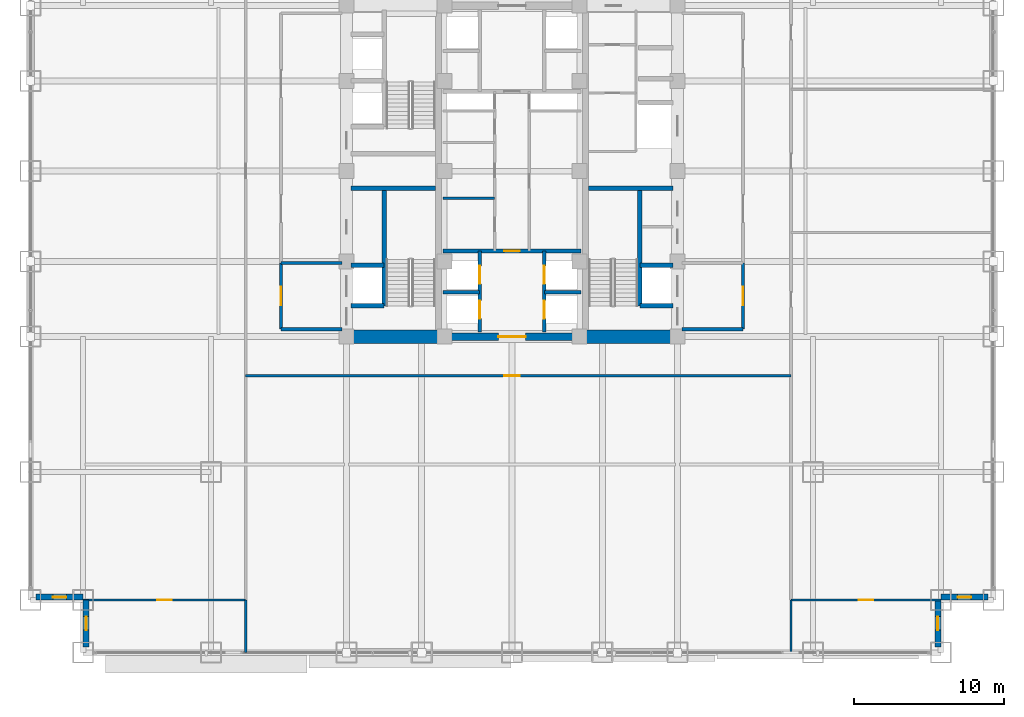
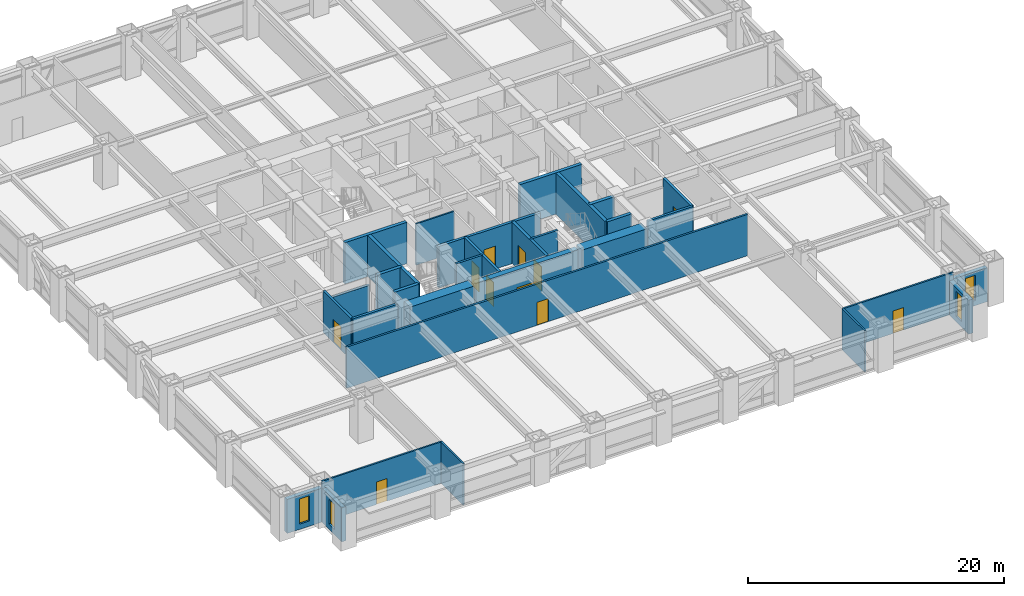
# One storey, part 23 of 31: 31 walls, 11 doors, 4 windows, 15 openings.
"""IFC4 building model written with IfcOpenShell, lengths in metres."""

from ifc_helpers import new_model, si_unit, direction, frame, frame_2d, origin, place, context, subcontext, project, spatial, rectangle, extrude, source, transform, mapped, material, layer, layer_set, type_object, element, fill, save


model = new_model("IFC4")

# Units and contexts
model_context = context("Model", 3, precision=1e-05, world=origin(), true_north=direction((0.0, 1.0)))
body_context = subcontext(model_context, "Body", "Model", "MODEL_VIEW")
ifc_project = project(units=[si_unit("LENGTHUNIT", "METRE"), si_unit("AREAUNIT", "SQUARE_METRE"), si_unit("VOLUMEUNIT", "CUBIC_METRE"), si_unit("PLANEANGLEUNIT", "RADIAN"), si_unit("MASSUNIT", "GRAM", prefix="KILO")], contexts=[model_context])

# Site, building, storey
site_placement = place(None, origin())
site = spatial("IfcSite", under=ifc_project, at=site_placement, CompositionType="ELEMENT")
building_placement = place(site_placement, origin())
building = spatial("IfcBuilding", under=site, at=building_placement, Name="Khorayat Bourse Tower", CompositionType="ELEMENT")
storey_placement = place(building_placement, frame((0.0, 0.0, 32.60009765625)))
storey = spatial("IfcBuildingStorey", under=building, at=storey_placement, Name="L06", CompositionType="ELEMENT", Elevation=32.60009765625)

# Walls
ifc_material_1 = material(Name="Concrete C72/90", Category="concrete")
ifc_layer_1 = layer(ifc_material_1, 0.89990234375)
ifc_layer_set_1 = layer_set([ifc_layer_1], Name="Concrete C72/90")
wall_type_1 = type_object("IfcWallType", Name="WAL-CORE-900", PredefinedType="SHEAR", material=ifc_layer_set_1)
shared_shape_1 = source(origin(), body_context, "Body", "SweptSolid", [
    extrude(rectangle(XDim=5.849853515625, YDim=0.89990234375, at=frame_2d((2.9248046875, 0.0))), origin(), (0.0, 0.0, 1.0), 3.93994140625),
])
for number, where, z_axis, x_axis, name in (
    (1, (-10.699951171875, -11.0, 0.0), (0.0, 0.0, 1.0), (1.0, 0.0, 0.0), "L06 Core Shear Wall PIER-WS"),
    (2, (4.85009765625, -11.0, 0.0), (0.0, 0.0, 1.0), (1.0, 0.0, 0.0), "L06 Core Shear Wall PIER-ES"),
):
    element("IfcWall", number, at=place(storey_placement, frame(where, z_axis=z_axis, x_axis=x_axis)), inside=storey, type_object=wall_type_1, Name=name, PredefinedType="SHEAR", context=body_context, shape_type="MappedRepresentation", body=[
        mapped(shared_shape_1, transform((0.0, 0.0, 0.0), scale=1.0)),
    ])
ifc_material_2 = material(Name="Concrete C50/60", Category="concrete")
ifc_layer_2 = layer(ifc_material_2, 0.300048828125)
ifc_layer_set_2 = layer_set([ifc_layer_2], Name="Concrete C50/60")
wall_type_2 = type_object("IfcWallType", Name="WAL-SHAFT-300", PredefinedType="SHEAR", material=ifc_layer_set_2)
shared_shape_2 = source(origin(), body_context, "Body", "SweptSolid", [
    extrude(rectangle(XDim=5.599853515625, YDim=0.300048828125, at=frame_2d((2.7998046875, 0.0))), origin(), (0.0, 0.0, 1.0), 3.93994140625),
])
for number, where, z_axis, x_axis, name in (
    (3, (-10.699951171875, -1.14990234375, 0.0), (0.0, 0.0, 1.0), (1.0, 0.0, 0.0), "L06 Core Shear Wall ST1-DIV"),
    (4, (5.10009765625, -1.14990234375, 0.0), (0.0, 0.0, 1.0), (1.0, 0.0, 0.0), "L06 Core Shear Wall ST3-DIV"),
):
    element("IfcWall", number, at=place(storey_placement, frame(where, z_axis=z_axis, x_axis=x_axis)), inside=storey, type_object=wall_type_2, Name=name, PredefinedType="SHEAR", context=body_context, shape_type="MappedRepresentation", body=[
        mapped(shared_shape_2, transform((0.0, 0.0, 0.0), scale=1.0)),
    ])

# Wall, opening, door
ifc_material_3 = material(Name="Concrete C52/65", Category="concrete")
ifc_layer_3 = layer(ifc_material_3, 0.5)
ifc_layer_set_3 = layer_set([ifc_layer_3], Name="Concrete C52/65")
wall_type_3 = type_object("IfcWallType", Name="WAL-CORE-500", PredefinedType="SHEAR", material=ifc_layer_set_3)
shared_shape_3 = source(origin(), body_context, "Body", "SweptSolid", [
    extrude(rectangle(XDim=9.2001953125, YDim=0.5, at=frame_2d((4.60009765625, 0.0))), origin(), (0.0, 0.0, 1.0), 3.93994140625),
])
wall_1_placement = place(storey_placement, frame((-4.60009765625, -11.0, 0.0), z_axis=(0.0, 0.0, 1.0), x_axis=(1.0, 0.0, 0.0)))
wall_1 = element("IfcWall", 5, at=wall_1_placement, inside=storey, type_object=wall_type_3, Name="L06 Core Shear Wall CORE-S", PredefinedType="SHEAR", context=body_context, shape_type="MappedRepresentation", body=[
    mapped(shared_shape_3, transform((0.0, 0.0, 0.0), scale=1.0)),
])
shared_shape_4 = source(origin(), body_context, "Body", "SweptSolid", [
    extrude(rectangle(XDim=1.800048828125, YDim=2.25, at=frame_2d((0.89990234375, 1.125))), frame((0.0, 0.260009765625, 0.0), z_axis=(0.0, -1.0, 0.0), x_axis=(1.0, 0.0, 0.0)), (0.0, 0.0, 1.0), 0.52001953125),
])
opening_1_placement = place(wall_1_placement, frame((3.699951171875, 0.0, 0.0)))
opening_1 = element("IfcOpeningElement", 6, at=opening_1_placement, cuts=wall_1, Name="Opening DI-03", PredefinedType="OPENING", context=body_context, shape_type="MappedRepresentation", body=[
    mapped(shared_shape_4, transform((0.0, 0.0, 0.0), scale=1.0)),
])
ifc_material_4 = material(Name="Fire-rated hardwood vision-panel double leaf", Category="wood")
door_type_1 = type_object("IfcDoorType", Name="DR-INT-CORR-1800", OperationType="NOTDEFINED", PredefinedType="DOOR", material=ifc_material_4)
shared_shape_5 = source(origin(), body_context, "Body", "SweptSolid", [
    extrude(rectangle(XDim=1.800048828125, YDim=2.25, at=frame_2d((0.89990234375, 1.125))), frame((0.0, 0.02490234375, 0.0), z_axis=(0.0, -1.0, 0.0), x_axis=(1.0, 0.0, 0.0)), (0.0, 0.0, 1.0), 0.050048828125),
])
door_1_placement = place(opening_1_placement, origin())
door_1 = element("IfcDoor", 7, at=door_1_placement, inside=storey, type_object=door_type_1, Name="L06 Low-Rise Lift Lobby Door", OperationType="SINGLE_SWING_LEFT", OverallHeight=2.25, OverallWidth=1.800048828125, PredefinedType="DOOR", context=body_context, shape_type="MappedRepresentation", body=[
    mapped(shared_shape_5, transform((0.0, 0.0, 0.0), scale=1.0)),
])
fill(opening_1, door_1)

# Wall, opening, window
ifc_material_5 = material(Name="Precast concrete C45/55", Category="concrete")
ifc_layer_4 = layer(ifc_material_5, 0.3798828125)
ifc_layer_set_4 = layer_set([ifc_layer_4], Name="Precast concrete C45/55")
wall_type_4 = type_object("IfcWallType", Name="WAL-EXT-STONE-380", PredefinedType="STANDARD", material=ifc_layer_set_4)
shared_shape_6 = source(origin(), body_context, "Body", "SweptSolid", [
    extrude(rectangle(XDim=3.1201171875, YDim=0.3798828125, at=frame_2d((1.56005859375, 0.0))), origin(), (0.0, 0.0, 1.0), 3.244873046875),
])
wall_2_placement = place(storey_placement, frame((-28.5, -28.31005859375, 0.0), z_axis=(0.0, 0.0, 1.0), x_axis=(-1.0, 0.0, 0.0)))
wall_2 = element("IfcWall", 8, at=wall_2_placement, inside=storey, type_object=wall_type_4, Name="L06 Re-Entrant Notch Limestone Wall SW-H", PredefinedType="STANDARD", context=body_context, shape_type="MappedRepresentation", body=[
    mapped(shared_shape_6, transform((0.0, 0.0, 0.0), scale=1.0)),
])
shared_shape_7 = source(origin(), body_context, "Body", "SweptSolid", [
    extrude(rectangle(XDim=0.89990234375, YDim=2.39990234375, at=frame_2d((0.449951171875, 1.199951171875))), frame((0.0, 0.199951171875, 0.0), z_axis=(0.0, -1.0, 0.0), x_axis=(1.0, 0.0, 0.0)), (0.0, 0.0, 1.0), 0.39990234375),
])
opening_2_placement = place(wall_2_placement, frame((1.110107421875, 0.0, 0.5)))
opening_2 = element("IfcOpeningElement", 9, at=opening_2_placement, cuts=wall_2, Name="Opening WN-03", PredefinedType="OPENING", context=body_context, shape_type="MappedRepresentation", body=[
    mapped(shared_shape_7, transform((0.0, 0.0, 0.0), scale=1.0)),
])
ifc_material_6 = material(Name="Deep-reveal solar-control double glazing", Category="glass")
window_type = type_object("IfcWindowType", Name="WIN-SLOT-900x2400", PartitioningType="SINGLE_PANEL", PredefinedType="WINDOW", material=ifc_material_6)
shared_shape_8 = source(origin(), body_context, "Body", "SweptSolid", [
    extrude(rectangle(XDim=0.89990234375, YDim=2.39990234375, at=frame_2d((0.449951171875, 1.199951171875))), frame((0.0, 0.030029296875, 0.0), z_axis=(0.0, -1.0, 0.0), x_axis=(1.0, 0.0, 0.0)), (0.0, 0.0, 1.0), 0.06005859375),
])
window_1_placement = place(opening_2_placement, origin())
window_1 = element("IfcWindow", 10, at=window_1_placement, inside=storey, type_object=window_type, Name="L06 Facade Window 1", OverallHeight=2.39990234375, OverallWidth=0.89990234375, PartitioningType="SINGLE_PANEL", PredefinedType="WINDOW", context=body_context, shape_type="MappedRepresentation", body=[
    mapped(shared_shape_8, transform((0.0, 0.0, 0.0), scale=1.0)),
])
fill(opening_2, window_1)

wall_3_placement = place(storey_placement, frame((-28.31005859375, -31.6201171875, 0.0), z_axis=(0.0, 0.0, 1.0), x_axis=(0.0, 1.0, 0.0)))
wall_3 = element("IfcWall", 11, at=wall_3_placement, inside=storey, type_object=wall_type_4, Name="L06 Re-Entrant Notch Limestone Wall SW-V", PredefinedType="STANDARD", context=body_context, shape_type="MappedRepresentation", body=[
    mapped(shared_shape_6, transform((0.0, 0.0, 0.0), scale=1.0)),
])
opening_3_placement = place(wall_3_placement, frame((1.110107421875, 0.0, 0.5)))
opening_3 = element("IfcOpeningElement", 12, at=opening_3_placement, cuts=wall_3, Name="Opening WN-03", PredefinedType="OPENING", context=body_context, shape_type="MappedRepresentation", body=[
    mapped(shared_shape_7, transform((0.0, 0.0, 0.0), scale=1.0)),
])
window_2_placement = place(opening_3_placement, origin())
window_2 = element("IfcWindow", 13, at=window_2_placement, inside=storey, type_object=window_type, Name="L06 Facade Window 1", OverallHeight=2.39990234375, OverallWidth=0.89990234375, PartitioningType="SINGLE_PANEL", PredefinedType="WINDOW", context=body_context, shape_type="MappedRepresentation", body=[
    mapped(shared_shape_8, transform((0.0, 0.0, 0.0), scale=1.0)),
])
fill(opening_3, window_2)

wall_4_placement = place(storey_placement, frame((28.31005859375, -31.6201171875, 0.0), z_axis=(0.0, 0.0, 1.0), x_axis=(0.0, 1.0, 0.0)))
wall_4 = element("IfcWall", 14, at=wall_4_placement, inside=storey, type_object=wall_type_4, Name="L06 Re-Entrant Notch Limestone Wall SE-V", PredefinedType="STANDARD", context=body_context, shape_type="MappedRepresentation", body=[
    mapped(shared_shape_6, transform((0.0, 0.0, 0.0), scale=1.0)),
])
opening_4_placement = place(wall_4_placement, frame((1.110107421875, 0.0, 0.5)))
opening_4 = element("IfcOpeningElement", 15, at=opening_4_placement, cuts=wall_4, Name="Opening WN-03", PredefinedType="OPENING", context=body_context, shape_type="MappedRepresentation", body=[
    mapped(shared_shape_7, transform((0.0, 0.0, 0.0), scale=1.0)),
])
window_3_placement = place(opening_4_placement, origin())
window_3 = element("IfcWindow", 16, at=window_3_placement, inside=storey, type_object=window_type, Name="L06 Facade Window 1", OverallHeight=2.39990234375, OverallWidth=0.89990234375, PartitioningType="SINGLE_PANEL", PredefinedType="WINDOW", context=body_context, shape_type="MappedRepresentation", body=[
    mapped(shared_shape_8, transform((0.0, 0.0, 0.0), scale=1.0)),
])
fill(opening_4, window_3)

wall_5_placement = place(storey_placement, frame((28.5, -28.31005859375, 0.0), z_axis=(0.0, 0.0, 1.0), x_axis=(1.0, 0.0, 0.0)))
wall_5 = element("IfcWall", 17, at=wall_5_placement, inside=storey, type_object=wall_type_4, Name="L06 Re-Entrant Notch Limestone Wall SE-H", PredefinedType="STANDARD", context=body_context, shape_type="MappedRepresentation", body=[
    mapped(shared_shape_6, transform((0.0, 0.0, 0.0), scale=1.0)),
])
opening_5_placement = place(wall_5_placement, frame((1.110107421875, 0.0, 0.5)))
opening_5 = element("IfcOpeningElement", 18, at=opening_5_placement, cuts=wall_5, Name="Opening WN-03", PredefinedType="OPENING", context=body_context, shape_type="MappedRepresentation", body=[
    mapped(shared_shape_7, transform((0.0, 0.0, 0.0), scale=1.0)),
])
window_4_placement = place(opening_5_placement, origin())
window_4 = element("IfcWindow", 19, at=window_4_placement, inside=storey, type_object=window_type, Name="L06 Facade Window 1", OverallHeight=2.39990234375, OverallWidth=0.89990234375, PartitioningType="SINGLE_PANEL", PredefinedType="WINDOW", context=body_context, shape_type="MappedRepresentation", body=[
    mapped(shared_shape_8, transform((0.0, 0.0, 0.0), scale=1.0)),
])
fill(opening_5, window_4)

# Walls
shared_shape_9 = source(origin(), body_context, "Body", "SweptSolid", [
    extrude(rectangle(XDim=7.800048828125, YDim=0.300048828125, at=frame_2d((3.89990234375, 0.0))), origin(), (0.0, 0.0, 1.0), 3.93994140625),
])
for number, where, z_axis, x_axis, name in (
    (20, (-8.5, -8.949951171875, 0.0), (0.0, 0.0, 1.0), (0.0, 1.0, 0.0), "L06 Partition WAL-L06-WPIER-SP"),
    (21, (8.5, -8.949951171875, 0.0), (0.0, 0.0, 1.0), (0.0, 1.0, 0.0), "L06 Partition WAL-L06-EPIER-SP"),
):
    element("IfcWall", number, at=place(storey_placement, frame(where, z_axis=z_axis, x_axis=x_axis)), inside=storey, type_object=wall_type_2, Name=name, PredefinedType="SHEAR", context=body_context, shape_type="MappedRepresentation", body=[
        mapped(shared_shape_9, transform((0.0, 0.0, 0.0), scale=1.0)),
    ])
shared_shape_10 = source(origin(), body_context, "Body", "SweptSolid", [
    extrude(rectangle(XDim=2.199951171875, YDim=0.300048828125, at=frame_2d((1.10009765625, 0.0))), origin(), (0.0, 0.0, 1.0), 3.93994140625),
])
for number, where, z_axis, x_axis, name in (
    (22, (-10.699951171875, -8.949951171875, 0.0), (0.0, 0.0, 1.0), (1.0, 0.0, 0.0), "L06 Partition WAL-L06-WPIER-FF1S"),
    (23, (-10.699951171875, -6.25, 0.0), (0.0, 0.0, 1.0), (1.0, 0.0, 0.0), "L06 Partition WAL-L06-WPIER-FF1N"),
    (24, (8.5, -8.949951171875, 0.0), (0.0, 0.0, 1.0), (1.0, 0.0, 0.0), "L06 Partition WAL-L06-EPIER-FF2S"),
    (25, (8.5, -6.25, 0.0), (0.0, 0.0, 1.0), (1.0, 0.0, 0.0), "L06 Partition WAL-L06-EPIER-FF2N"),
):
    element("IfcWall", number, at=place(storey_placement, frame(where, z_axis=z_axis, x_axis=x_axis)), inside=storey, type_object=wall_type_2, Name=name, PredefinedType="SHEAR", context=body_context, shape_type="MappedRepresentation", body=[
        mapped(shared_shape_10, transform((0.0, 0.0, 0.0), scale=1.0)),
    ])
ifc_material_7 = material(Name="Aerated concrete blockwork", Category="masonry")
ifc_layer_5 = layer(ifc_material_7, 0.219970703125)
ifc_layer_set_5 = layer_set([ifc_layer_5], Name="Aerated concrete blockwork")
wall_type_5 = type_object("IfcWallType", Name="WAL-PART-FF-220", PredefinedType="PARTITIONING", material=ifc_layer_set_5)
shared_shape_11 = source(origin(), body_context, "Body", "SweptSolid", [
    extrude(rectangle(XDim=4.050048828125, YDim=0.219970703125, at=frame_2d((2.02490234375, 0.0))), origin(), (0.0, 0.0, 1.0), 3.93994140625),
])
for number, where, z_axis, x_axis, name in (
    (26, (-15.35009765625, -10.5, 0.0), (0.0, 0.0, 1.0), (1.0, 0.0, 0.0), "L06 Partition WAL-L06-FFLW-S"),
    (27, (11.300048828125, -10.5, 0.0), (0.0, 0.0, 1.0), (1.0, 0.0, 0.0), "L06 Partition WAL-L06-FFLE-S"),
):
    element("IfcWall", number, at=place(storey_placement, frame(where, z_axis=z_axis, x_axis=x_axis)), inside=storey, type_object=wall_type_5, Name=name, PredefinedType="PARTITIONING", context=body_context, shape_type="MappedRepresentation", body=[
        mapped(shared_shape_11, transform((0.0, 0.0, 0.0), scale=1.0)),
    ])
shared_shape_12 = source(origin(), body_context, "Body", "SweptSolid", [
    extrude(rectangle(XDim=4.050048828125, YDim=0.219970703125, at=frame_2d((2.02490234375, 0.0))), origin(), (0.0, 0.0, 1.0), 3.0849609375),
])
wall_6_placement = place(storey_placement, frame((-15.35009765625, -6.10009765625, 0.0), z_axis=(0.0, 0.0, 1.0), x_axis=(1.0, 0.0, 0.0)))
element("IfcWall", 28, at=wall_6_placement, inside=storey, type_object=wall_type_5, Name="L06 Partition WAL-L06-FFLW-N", PredefinedType="PARTITIONING", context=body_context, shape_type="MappedRepresentation", body=[
    mapped(shared_shape_12, transform((0.0, 0.0, 0.0), scale=1.0)),
])

# Wall, opening, door
shared_shape_13 = source(origin(), body_context, "Body", "SweptSolid", [
    extrude(rectangle(XDim=4.39990234375, YDim=0.219970703125, at=frame_2d((2.199951171875, 0.0))), origin(), (0.0, 0.0, 1.0), 3.93994140625),
])
wall_7_placement = place(storey_placement, frame((-15.35009765625, -10.5, 0.0), z_axis=(0.0, 0.0, 1.0), x_axis=(0.0, 1.0, 0.0)))
wall_7 = element("IfcWall", 29, at=wall_7_placement, inside=storey, type_object=wall_type_5, Name="L06 Partition WAL-L06-FFLW-W", PredefinedType="PARTITIONING", context=body_context, shape_type="MappedRepresentation", body=[
    mapped(shared_shape_13, transform((0.0, 0.0, 0.0), scale=1.0)),
])
shared_shape_14 = source(origin(), body_context, "Body", "SweptSolid", [
    extrude(rectangle(XDim=1.199951171875, YDim=2.199951171875, at=frame_2d((0.60009765625, 1.10009765625))), frame((0.0, 0.119873046875, 0.0), z_axis=(0.0, -1.0, 0.0), x_axis=(1.0, 0.0, 0.0)), (0.0, 0.0, 1.0), 0.239990234375),
])
opening_6_placement = place(wall_7_placement, frame((1.60009765625, 0.0, 0.0)))
opening_6 = element("IfcOpeningElement", 30, at=opening_6_placement, cuts=wall_7, Name="Opening DI-02", PredefinedType="OPENING", context=body_context, shape_type="MappedRepresentation", body=[
    mapped(shared_shape_14, transform((0.0, 0.0, 0.0), scale=1.0)),
])
ifc_material_8 = material(Name="Fire-rated steel double-seal leaf", Category="steel")
door_type_2 = type_object("IfcDoorType", Name="DR-INT-FFLOBBY-1200", OperationType="NOTDEFINED", PredefinedType="DOOR", material=ifc_material_8)
shared_shape_15 = source(origin(), body_context, "Body", "SweptSolid", [
    extrude(rectangle(XDim=1.199951171875, YDim=2.199951171875, at=frame_2d((0.60009765625, 1.10009765625))), frame((0.0, 0.02490234375, 0.0), z_axis=(0.0, -1.0, 0.0), x_axis=(1.0, 0.0, 0.0)), (0.0, 0.0, 1.0), 0.050048828125),
])
door_2_placement = place(opening_6_placement, origin())
door_2 = element("IfcDoor", 31, at=door_2_placement, inside=storey, type_object=door_type_2, Name="L06 West Firefighting Lobby Door", OperationType="SINGLE_SWING_LEFT", OverallHeight=2.199951171875, OverallWidth=1.199951171875, PredefinedType="DOOR", context=body_context, shape_type="MappedRepresentation", body=[
    mapped(shared_shape_15, transform((0.0, 0.0, 0.0), scale=1.0)),
])
fill(opening_6, door_2)

wall_8_placement = place(storey_placement, frame((15.35009765625, -10.5, 0.0), z_axis=(0.0, 0.0, 1.0), x_axis=(0.0, 1.0, 0.0)))
wall_8 = element("IfcWall", 32, at=wall_8_placement, inside=storey, type_object=wall_type_5, Name="L06 Partition WAL-L06-FFLE-E", PredefinedType="PARTITIONING", context=body_context, shape_type="MappedRepresentation", body=[
    mapped(shared_shape_13, transform((0.0, 0.0, 0.0), scale=1.0)),
])
opening_7_placement = place(wall_8_placement, frame((1.60009765625, 0.0, 0.0)))
opening_7 = element("IfcOpeningElement", 33, at=opening_7_placement, cuts=wall_8, Name="Opening DI-02", PredefinedType="OPENING", context=body_context, shape_type="MappedRepresentation", body=[
    mapped(shared_shape_14, transform((0.0, 0.0, 0.0), scale=1.0)),
])
door_3_placement = place(opening_7_placement, origin())
door_3 = element("IfcDoor", 34, at=door_3_placement, inside=storey, type_object=door_type_2, Name="L06 East Firefighting Lobby Door", OperationType="SINGLE_SWING_RIGHT", OverallHeight=2.199951171875, OverallWidth=1.199951171875, PredefinedType="DOOR", context=body_context, shape_type="MappedRepresentation", body=[
    mapped(shared_shape_15, transform((0.0, 0.0, 0.0), scale=1.0)),
])
fill(opening_7, door_3)

# Wall, openings, doors
shared_shape_16 = source(origin(), body_context, "Body", "SweptSolid", [
    extrude(rectangle(XDim=5.39990234375, YDim=0.25, at=frame_2d((2.699951171875, 0.0))), origin(), (0.0, 0.0, 1.0), 3.93994140625),
])
wall_9_placement = place(storey_placement, frame((-2.14990234375, -10.699951171875, 0.0), z_axis=(0.0, 0.0, 1.0), x_axis=(0.0, 1.0, 0.0)))
wall_9 = element("IfcWall", 35, at=wall_9_placement, inside=storey, type_object=wall_type_2, Name="L06 Partition WAL-L06-B1-W", PredefinedType="SHEAR", context=body_context, shape_type="MappedRepresentation", body=[
    mapped(shared_shape_16, transform((0.0, 0.0, 0.0), scale=1.0)),
])
shared_shape_17 = source(origin(), body_context, "Body", "SweptSolid", [
    extrude(rectangle(XDim=1.199951171875, YDim=2.300048828125, at=frame_2d((0.60009765625, 1.14990234375))), frame((0.0, 0.135009765625, 0.0), z_axis=(0.0, -1.0, 0.0), x_axis=(1.0, 0.0, 0.0)), (0.0, 0.0, 1.0), 0.27001953125),
])
opening_8_placement = place(wall_9_placement, frame((0.89990234375, 0.0, 0.0)))
opening_8 = element("IfcOpeningElement", 36, at=opening_8_placement, cuts=wall_9, Name="Opening LD-01", PredefinedType="OPENING", context=body_context, shape_type="MappedRepresentation", body=[
    mapped(shared_shape_17, transform((0.0, 0.0, 0.0), scale=1.0)),
])
opening_9_placement = place(wall_9_placement, frame((3.199951171875, 0.0, 0.0)))
opening_9 = element("IfcOpeningElement", 37, at=opening_9_placement, cuts=wall_9, Name="Opening LD-01", PredefinedType="OPENING", context=body_context, shape_type="MappedRepresentation", body=[
    mapped(shared_shape_17, transform((0.0, 0.0, 0.0), scale=1.0)),
])
ifc_material_9 = material(Name="Brushed bronze stainless-steel sliding door", Category="steel")
door_type_3 = type_object("IfcDoorType", Name="DR-LIFT-PASS-1200", OperationType="NOTDEFINED", PredefinedType="DOOR", material=ifc_material_9)
shared_shape_18 = source(origin(), body_context, "Body", "SweptSolid", [
    extrude(rectangle(XDim=1.199951171875, YDim=2.300048828125, at=frame_2d((0.60009765625, 1.14990234375))), frame((0.0, 0.02490234375, 0.0), z_axis=(0.0, -1.0, 0.0), x_axis=(1.0, 0.0, 0.0)), (0.0, 0.0, 1.0), 0.050048828125),
])
door_4_placement = place(opening_8_placement, origin())
door_4 = element("IfcDoor", 38, at=door_4_placement, inside=storey, type_object=door_type_3, Name="L06 Lift PL-L1 Sliding Landing Door", OperationType="SLIDING_TO_LEFT", OverallHeight=2.300048828125, OverallWidth=1.199951171875, PredefinedType="DOOR", context=body_context, shape_type="MappedRepresentation", body=[
    mapped(shared_shape_18, transform((0.0, 0.0, 0.0), scale=1.0)),
])
fill(opening_8, door_4)
door_5_placement = place(opening_9_placement, origin())
door_5 = element("IfcDoor", 39, at=door_5_placement, inside=storey, type_object=door_type_3, Name="L06 Lift PL-L3 Sliding Landing Door", OperationType="SLIDING_TO_LEFT", OverallHeight=2.300048828125, OverallWidth=1.199951171875, PredefinedType="DOOR", context=body_context, shape_type="MappedRepresentation", body=[
    mapped(shared_shape_18, transform((0.0, 0.0, 0.0), scale=1.0)),
])
fill(opening_9, door_5)

wall_10_placement = place(storey_placement, frame((2.14990234375, -10.699951171875, 0.0), z_axis=(0.0, 0.0, 1.0), x_axis=(0.0, 1.0, 0.0)))
wall_10 = element("IfcWall", 40, at=wall_10_placement, inside=storey, type_object=wall_type_2, Name="L06 Partition WAL-L06-B1-E", PredefinedType="SHEAR", context=body_context, shape_type="MappedRepresentation", body=[
    mapped(shared_shape_16, transform((0.0, 0.0, 0.0), scale=1.0)),
])
opening_10_placement = place(wall_10_placement, frame((0.89990234375, 0.0, 0.0)))
opening_10 = element("IfcOpeningElement", 41, at=opening_10_placement, cuts=wall_10, Name="Opening LD-01", PredefinedType="OPENING", context=body_context, shape_type="MappedRepresentation", body=[
    mapped(shared_shape_17, transform((0.0, 0.0, 0.0), scale=1.0)),
])
opening_11_placement = place(wall_10_placement, frame((3.199951171875, 0.0, 0.0)))
opening_11 = element("IfcOpeningElement", 42, at=opening_11_placement, cuts=wall_10, Name="Opening LD-01", PredefinedType="OPENING", context=body_context, shape_type="MappedRepresentation", body=[
    mapped(shared_shape_17, transform((0.0, 0.0, 0.0), scale=1.0)),
])
door_6_placement = place(opening_10_placement, origin())
door_6 = element("IfcDoor", 43, at=door_6_placement, inside=storey, type_object=door_type_3, Name="L06 Lift PL-L2 Sliding Landing Door", OperationType="SLIDING_TO_LEFT", OverallHeight=2.300048828125, OverallWidth=1.199951171875, PredefinedType="DOOR", context=body_context, shape_type="MappedRepresentation", body=[
    mapped(shared_shape_18, transform((0.0, 0.0, 0.0), scale=1.0)),
])
fill(opening_10, door_6)
door_7_placement = place(opening_11_placement, origin())
door_7 = element("IfcDoor", 44, at=door_7_placement, inside=storey, type_object=door_type_3, Name="L06 Lift PL-L4 Sliding Landing Door", OperationType="SLIDING_TO_LEFT", OverallHeight=2.300048828125, OverallWidth=1.199951171875, PredefinedType="DOOR", context=body_context, shape_type="MappedRepresentation", body=[
    mapped(shared_shape_18, transform((0.0, 0.0, 0.0), scale=1.0)),
])
fill(opening_11, door_7)

# Walls
shared_shape_19 = source(origin(), body_context, "Body", "SweptSolid", [
    extrude(rectangle(XDim=2.4501953125, YDim=0.199951171875, at=frame_2d((1.22509765625, 0.0))), origin(), (0.0, 0.0, 1.0), 3.93994140625),
])
for number, where, z_axis, x_axis, name in (
    (45, (-4.60009765625, -8.050048828125, 0.0), (0.0, 0.0, 1.0), (1.0, 0.0, 0.0), "L06 Partition WAL-L06-B1-MW"),
    (46, (2.14990234375, -8.050048828125, 0.0), (0.0, 0.0, 1.0), (1.0, 0.0, 0.0), "L06 Partition WAL-L06-B1-ME"),
):
    element("IfcWall", number, at=place(storey_placement, frame(where, z_axis=z_axis, x_axis=x_axis)), inside=storey, type_object=wall_type_2, Name=name, PredefinedType="SHEAR", context=body_context, shape_type="MappedRepresentation", body=[
        mapped(shared_shape_19, transform((0.0, 0.0, 0.0), scale=1.0)),
    ])

# Wall, opening, door
shared_shape_20 = source(origin(), body_context, "Body", "SweptSolid", [
    extrude(rectangle(XDim=9.2001953125, YDim=0.25, at=frame_2d((4.60009765625, 0.0))), origin(), (0.0, 0.0, 1.0), 3.93994140625),
])
wall_11_placement = place(storey_placement, frame((-4.60009765625, -5.300048828125, 0.0), z_axis=(0.0, 0.0, 1.0), x_axis=(1.0, 0.0, 0.0)))
wall_11 = element("IfcWall", 47, at=wall_11_placement, inside=storey, type_object=wall_type_2, Name="L06 Partition WAL-L06-B1-N", PredefinedType="SHEAR", context=body_context, shape_type="MappedRepresentation", body=[
    mapped(shared_shape_20, transform((0.0, 0.0, 0.0), scale=1.0)),
])
shared_shape_21 = source(origin(), body_context, "Body", "SweptSolid", [
    extrude(rectangle(XDim=1.050048828125, YDim=2.199951171875, at=frame_2d((0.52490234375, 1.10009765625))), frame((0.0, 0.135009765625, 0.0), z_axis=(0.0, -1.0, 0.0), x_axis=(1.0, 0.0, 0.0)), (0.0, 0.0, 1.0), 0.27001953125),
])
opening_12_placement = place(wall_11_placement, frame((4.074951171875, 0.0, 0.0)))
opening_12 = element("IfcOpeningElement", 48, at=opening_12_placement, cuts=wall_11, Name="Opening DI-04", PredefinedType="OPENING", context=body_context, shape_type="MappedRepresentation", body=[
    mapped(shared_shape_21, transform((0.0, 0.0, 0.0), scale=1.0)),
])
ifc_material_10 = material(Name="Fire-rated oak veneer suite entrance door")
door_type_4 = type_object("IfcDoorType", Name="DR-INT-SUITE-1050", OperationType="NOTDEFINED", PredefinedType="DOOR", material=ifc_material_10)
shared_shape_22 = source(origin(), body_context, "Body", "SweptSolid", [
    extrude(rectangle(XDim=1.050048828125, YDim=2.199951171875, at=frame_2d((0.52490234375, 1.10009765625))), frame((0.0, 0.02490234375, 0.0), z_axis=(0.0, -1.0, 0.0), x_axis=(1.0, 0.0, 0.0)), (0.0, 0.0, 1.0), 0.050048828125),
])
door_8_placement = place(opening_12_placement, origin())
door_8 = element("IfcDoor", 49, at=door_8_placement, inside=storey, type_object=door_type_4, Name="L06 Core Spine South Door", OperationType="SINGLE_SWING_LEFT", OverallHeight=2.199951171875, OverallWidth=1.050048828125, PredefinedType="DOOR", context=body_context, shape_type="MappedRepresentation", body=[
    mapped(shared_shape_22, transform((0.0, 0.0, 0.0), scale=1.0)),
])
fill(opening_12, door_8)

# Wall
ifc_material_11 = material(Name="Moisture-resistant masonry partition", Category="masonry")
ifc_layer_6 = layer(ifc_material_11, 0.139892578125)
ifc_layer_set_6 = layer_set([ifc_layer_6], Name="Moisture-resistant masonry partition")
wall_type_6 = type_object("IfcWallType", Name="WAL-PART-WET-140", PredefinedType="PARTITIONING", material=ifc_layer_set_6)
shared_shape_23 = source(origin(), body_context, "Body", "SweptSolid", [
    extrude(rectangle(XDim=3.4501953125, YDim=0.139892578125, at=frame_2d((1.72509765625, 0.0))), origin(), (0.0, 0.0, 1.0), 3.93994140625),
])
wall_12_placement = place(storey_placement, frame((-4.60009765625, -1.800048828125, 0.0), z_axis=(0.0, 0.0, 1.0), x_axis=(1.0, 0.0, 0.0)))
element("IfcWall", 50, at=wall_12_placement, inside=storey, type_object=wall_type_6, Name="L06 Partition WAL-L06-CMW-D1", PredefinedType="PARTITIONING", context=body_context, shape_type="MappedRepresentation", body=[
    mapped(shared_shape_23, transform((0.0, 0.0, 0.0), scale=1.0)),
])

# Wall, opening, door
ifc_material_12 = material(Name="Gypsum plasterboard acoustic stud wall")
ifc_layer_7 = layer(ifc_material_12, 0.179931640625)
ifc_layer_set_7 = layer_set([ifc_layer_7], Name="Gypsum plasterboard acoustic stud wall")
wall_type_7 = type_object("IfcWallType", Name="WAL-PART-CORR-180", PredefinedType="PARTITIONING", material=ifc_layer_set_7)
shared_shape_24 = source(origin(), body_context, "Body", "SweptSolid", [
    extrude(rectangle(XDim=36.25, YDim=0.179931640625, at=frame_2d((18.125, 0.0))), origin(), (0.0, 0.0, 1.0), 3.93994140625),
])
wall_13_placement = place(storey_placement, frame((-17.699951171875, -13.60009765625, 0.0), z_axis=(0.0, 0.0, 1.0), x_axis=(1.0, 0.0, 0.0)))
wall_13 = element("IfcWall", 51, at=wall_13_placement, inside=storey, type_object=wall_type_7, Name="L06 Partition WAL-L06-SCORR", PredefinedType="PARTITIONING", context=body_context, shape_type="MappedRepresentation", body=[
    mapped(shared_shape_24, transform((0.0, 0.0, 0.0), scale=1.0)),
])
shared_shape_25 = source(origin(), body_context, "Body", "SweptSolid", [
    extrude(rectangle(XDim=1.050048828125, YDim=2.199951171875, at=frame_2d((0.52490234375, 1.10009765625))), frame((0.0, 0.099853515625, 0.0), z_axis=(0.0, -1.0, 0.0), x_axis=(1.0, 0.0, 0.0)), (0.0, 0.0, 1.0), 0.199951171875),
])
opening_13_placement = place(wall_13_placement, frame((17.175048828125, 0.0, 0.0)))
opening_13 = element("IfcOpeningElement", 52, at=opening_13_placement, cuts=wall_13, Name="Opening DI-04", PredefinedType="OPENING", context=body_context, shape_type="MappedRepresentation", body=[
    mapped(shared_shape_25, transform((0.0, 0.0, 0.0), scale=1.0)),
])
door_9_placement = place(opening_13_placement, origin())
door_9 = element("IfcDoor", 53, at=door_9_placement, inside=storey, type_object=door_type_4, Name="L06 Equities Trading Desk S1 Door", OperationType="SINGLE_SWING_RIGHT", OverallHeight=2.199951171875, OverallWidth=1.050048828125, PredefinedType="DOOR", context=body_context, shape_type="MappedRepresentation", body=[
    mapped(shared_shape_22, transform((0.0, 0.0, 0.0), scale=1.0)),
])
fill(opening_13, door_9)

# Walls
ifc_material_13 = material(Name="Gypsum plasterboard twin-frame partition")
ifc_layer_8 = layer(ifc_material_13, 0.14990234375)
ifc_layer_set_8 = layer_set([ifc_layer_8], Name="Gypsum plasterboard twin-frame partition")
wall_type_8 = type_object("IfcWallType", Name="WAL-PART-SUITE-150", PredefinedType="PARTITIONING", material=ifc_layer_set_8)
shared_shape_26 = source(origin(), body_context, "Body", "SweptSolid", [
    extrude(rectangle(XDim=3.5, YDim=0.14990234375, at=frame_2d((1.75, 0.0))), origin(), (0.0, 0.0, 1.0), 3.93994140625),
])
for number, where, z_axis, x_axis, name in (
    (54, (-17.699951171875, -32.0, 0.0), (0.0, 0.0, 1.0), (0.0, 1.0, 0.0), "L06 Partition WAL-L06-SCW-END"),
    (55, (18.550048828125, -32.0, 0.0), (0.0, 0.0, 1.0), (0.0, 1.0, 0.0), "L06 Partition WAL-L06-SCE-END"),
):
    element("IfcWall", number, at=place(storey_placement, frame(where, z_axis=z_axis, x_axis=x_axis)), inside=storey, type_object=wall_type_8, Name=name, PredefinedType="PARTITIONING", context=body_context, shape_type="MappedRepresentation", body=[
        mapped(shared_shape_26, transform((0.0, 0.0, 0.0), scale=1.0)),
    ])

# Wall, opening, door
shared_shape_27 = source(origin(), body_context, "Body", "SweptSolid", [
    extrude(rectangle(XDim=10.800048828125, YDim=0.14990234375, at=frame_2d((5.39990234375, 0.0))), origin(), (0.0, 0.0, 1.0), 3.93994140625),
])
wall_14_placement = place(storey_placement, frame((-28.5, -28.5, 0.0), z_axis=(0.0, 0.0, 1.0), x_axis=(1.0, 0.0, 0.0)))
wall_14 = element("IfcWall", 56, at=wall_14_placement, inside=storey, type_object=wall_type_8, Name="L06 Partition WAL-L06-CSW", PredefinedType="PARTITIONING", context=body_context, shape_type="MappedRepresentation", body=[
    mapped(shared_shape_27, transform((0.0, 0.0, 0.0), scale=1.0)),
])
shared_shape_28 = source(origin(), body_context, "Body", "SweptSolid", [
    extrude(rectangle(XDim=0.949951171875, YDim=2.14990234375, at=frame_2d((0.47509765625, 1.074951171875))), frame((0.0, 0.0849609375, 0.0), z_axis=(0.0, -1.0, 0.0), x_axis=(1.0, 0.0, 0.0)), (0.0, 0.0, 1.0), 0.169921875),
])
opening_14_placement = place(wall_14_placement, frame((4.925048828125, 0.0, 0.0)))
opening_14 = element("IfcOpeningElement", 57, at=opening_14_placement, cuts=wall_14, Name="Opening DI-05", PredefinedType="OPENING", context=body_context, shape_type="MappedRepresentation", body=[
    mapped(shared_shape_28, transform((0.0, 0.0, 0.0), scale=1.0)),
])
ifc_material_14 = material(Name="Acoustic oak veneer office door")
door_type_5 = type_object("IfcDoorType", Name="DR-INT-OFFICE-950", OperationType="NOTDEFINED", PredefinedType="DOOR", material=ifc_material_14)
shared_shape_29 = source(origin(), body_context, "Body", "SweptSolid", [
    extrude(rectangle(XDim=0.949951171875, YDim=2.14990234375, at=frame_2d((0.47509765625, 1.074951171875))), frame((0.0, 0.02490234375, 0.0), z_axis=(0.0, -1.0, 0.0), x_axis=(1.0, 0.0, 0.0)), (0.0, 0.0, 1.0), 0.050048828125),
])
door_10_placement = place(opening_14_placement, origin())
door_10 = element("IfcDoor", 58, at=door_10_placement, inside=storey, type_object=door_type_5, Name="L06 South-West Corner Office Door", OperationType="SINGLE_SWING_LEFT", OverallHeight=2.14990234375, OverallWidth=0.949951171875, PredefinedType="DOOR", context=body_context, shape_type="MappedRepresentation", body=[
    mapped(shared_shape_29, transform((0.0, 0.0, 0.0), scale=1.0)),
])
fill(opening_14, door_10)

shared_shape_30 = source(origin(), body_context, "Body", "SweptSolid", [
    extrude(rectangle(XDim=9.949951171875, YDim=0.14990234375, at=frame_2d((4.97509765625, 0.0))), origin(), (0.0, 0.0, 1.0), 3.93994140625),
])
wall_15_placement = place(storey_placement, frame((18.550048828125, -28.5, 0.0), z_axis=(0.0, 0.0, 1.0), x_axis=(1.0, 0.0, 0.0)))
wall_15 = element("IfcWall", 59, at=wall_15_placement, inside=storey, type_object=wall_type_8, Name="L06 Partition WAL-L06-CSE", PredefinedType="PARTITIONING", context=body_context, shape_type="MappedRepresentation", body=[
    mapped(shared_shape_30, transform((0.0, 0.0, 0.0), scale=1.0)),
])
opening_15_placement = place(wall_15_placement, frame((4.5, 0.0, 0.0)))
opening_15 = element("IfcOpeningElement", 60, at=opening_15_placement, cuts=wall_15, Name="Opening DI-05", PredefinedType="OPENING", context=body_context, shape_type="MappedRepresentation", body=[
    mapped(shared_shape_28, transform((0.0, 0.0, 0.0), scale=1.0)),
])
door_11_placement = place(opening_15_placement, origin())
door_11 = element("IfcDoor", 61, at=door_11_placement, inside=storey, type_object=door_type_5, Name="L06 South-East Corner Briefing Room Door", OperationType="SINGLE_SWING_LEFT", OverallHeight=2.14990234375, OverallWidth=0.949951171875, PredefinedType="DOOR", context=body_context, shape_type="MappedRepresentation", body=[
    mapped(shared_shape_29, transform((0.0, 0.0, 0.0), scale=1.0)),
])
fill(opening_15, door_11)

save(model, "model.ifc")
